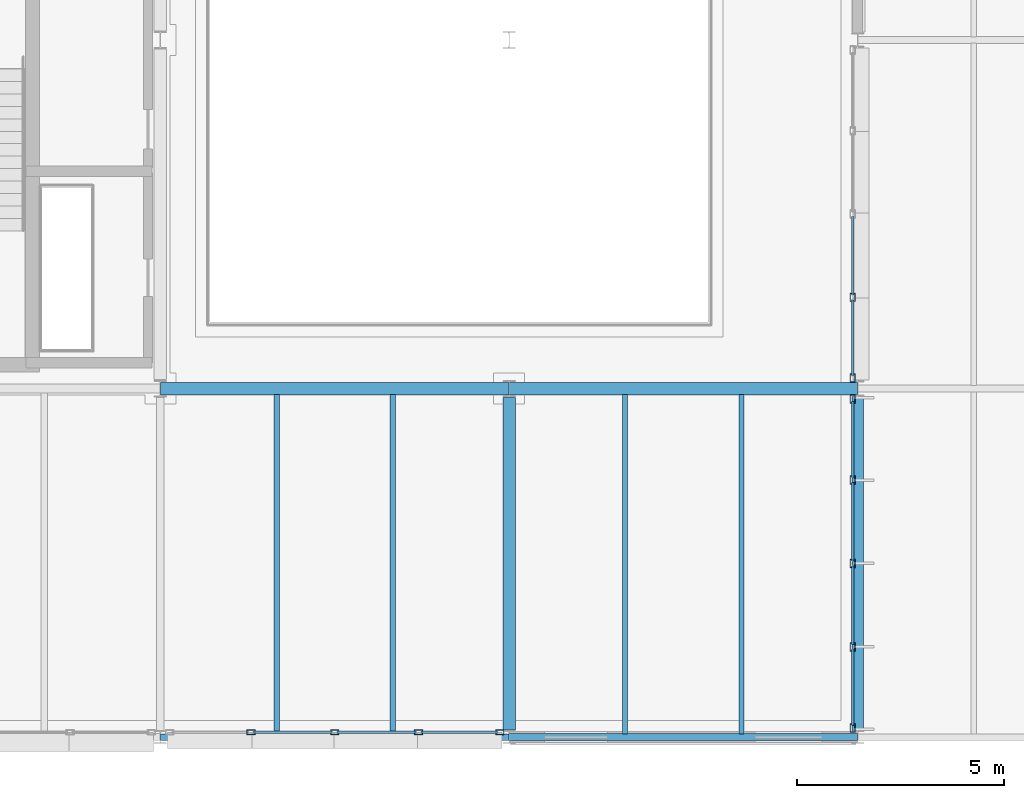
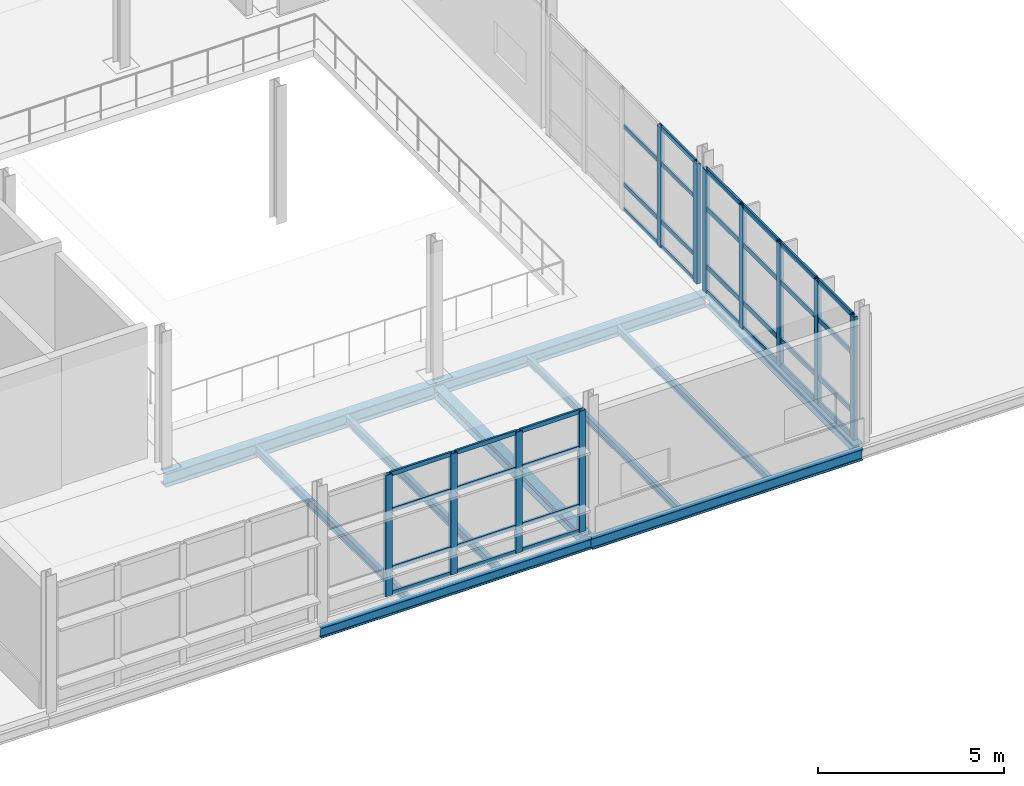
# One storey, part 59 of 129: 46 members, 10 beams, 3 elements without a shape of their own.
"""IFC4 building model written with IfcOpenShell, lengths in metres."""

from ifc_helpers import new_model, si_unit, direction, frame, origin, origin_2d, place, context, subcontext, project, spatial, hollow_rectangle, i_section, extrude, material, material_profile, profile_set, type_object, element, aggregate, save


model = new_model("IFC4")

# Units and contexts
model_context = context("Model", 3, precision=1e-05, world=origin(), true_north=direction((0.0, 1.0)))
body_context = subcontext(model_context, "Body", "Model", "MODEL_VIEW")
ifc_project = project(units=[si_unit("LENGTHUNIT", "METRE"), si_unit("AREAUNIT", "SQUARE_METRE"), si_unit("VOLUMEUNIT", "CUBIC_METRE"), si_unit("PLANEANGLEUNIT", "RADIAN"), si_unit("MASSUNIT", "GRAM", prefix="KILO")], contexts=[model_context])

# Site, building, storey
site_placement = place(None, origin())
site = spatial("IfcSite", under=ifc_project, at=site_placement, CompositionType="ELEMENT")
building_placement = place(site_placement, origin())
building = spatial("IfcBuilding", under=site, at=building_placement, Name="Mersafa Astral City Hall", CompositionType="ELEMENT")
storey_placement = place(building_placement, frame((0.0, 0.0, 5.39990234375)))
storey = spatial("IfcBuildingStorey", under=building, at=storey_placement, Name="L01", CompositionType="ELEMENT", Elevation=5.39990234375)

# Curtain wall, members
ifc_material_1 = material(Name="Anodised bronze aluminium framing", Category="aluminium")
curtain_wall_type_1 = type_object("IfcCurtainWallType", Name="ENV-CW-6", PredefinedType="USERDEFINED", material=ifc_material_1)
curtain_wall_1_placement = place(storey_placement, origin())
curtain_wall_1 = element("IfcCurtainWall", 1, at=curtain_wall_1_placement, inside=storey, type_object=curtain_wall_type_1, Name="L01 Unitised solar curtain wall 47", ObjectType="UNITISED CURTAIN WALL", PredefinedType="USERDEFINED")
ifc_material_profile_1 = material_profile(ifc_material_1, hollow_rectangle(XDim=0.1201171875, YDim=0.199951171875, WallThickness=0.008056640625, at=origin_2d()), Name="RHS 120x200x8")
ifc_profile_set_1 = profile_set([ifc_material_profile_1], Name="Anodised bronze aluminium framing")
member_type_1 = type_object("IfcMemberType", Name="ENV-CW-MUL-2", PredefinedType="MULLION", material=ifc_profile_set_1)
member_1_placement = place(storey_placement, frame((128.180908203125, 0.1201171875, -0.001953125), z_axis=(0.0, 0.0, 1.0), x_axis=(0.0, 1.0, 0.0)))
member_1 = element("IfcMember", 2, at=member_1_placement, type_object=member_type_1, Name="CW-6 mullion 2", PredefinedType="MULLION", context=body_context, shape_type="SweptSolid", body=[
    extrude(hollow_rectangle(XDim=0.1201171875, YDim=0.199951171875, WallThickness=0.008056640625, at=origin_2d()), origin(), (0.0, 0.0, 1.0), 3.968994140625),
])
member_2_placement = place(storey_placement, frame((130.199951171875, 0.1201171875, -0.001953125), z_axis=(0.0, 0.0, 1.0), x_axis=(0.0, 1.0, 0.0)))
member_2 = element("IfcMember", 3, at=member_2_placement, type_object=member_type_1, Name="CW-6 mullion 3", PredefinedType="MULLION", context=body_context, shape_type="SweptSolid", body=[
    extrude(hollow_rectangle(XDim=0.1201171875, YDim=0.199951171875, WallThickness=0.008056640625, at=origin_2d()), origin(), (0.0, 0.0, 1.0), 3.968994140625),
])
member_3_placement = place(storey_placement, frame((132.218994140625, 0.1201171875, -0.001953125), z_axis=(0.0, 0.0, 1.0), x_axis=(0.0, 1.0, 0.0)))
member_3 = element("IfcMember", 4, at=member_3_placement, type_object=member_type_1, Name="CW-6 mullion 4", PredefinedType="MULLION", context=body_context, shape_type="SweptSolid", body=[
    extrude(hollow_rectangle(XDim=0.1201171875, YDim=0.199951171875, WallThickness=0.008056640625, at=origin_2d()), origin(), (0.0, 0.0, 1.0), 3.968994140625),
])
member_4_placement = place(storey_placement, frame((134.177978515625, 0.1201171875, -0.001953125), z_axis=(0.0, 0.0, 1.0), x_axis=(0.0, 1.0, 0.0)))
member_4 = element("IfcMember", 5, at=member_4_placement, type_object=member_type_1, Name="CW-6 mullion 5", PredefinedType="MULLION", context=body_context, shape_type="SweptSolid", body=[
    extrude(hollow_rectangle(XDim=0.1201171875, YDim=0.199951171875, WallThickness=0.008056640625, at=origin_2d()), origin(), (0.0, 0.0, 1.0), 3.968994140625),
])

curtain_wall_type_2 = type_object("IfcCurtainWallType", Name="ENV-CW-1", PredefinedType="USERDEFINED", material=ifc_material_1)
curtain_wall_2_placement = place(storey_placement, origin())
curtain_wall_2 = element("IfcCurtainWall", 6, at=curtain_wall_2_placement, inside=storey, type_object=curtain_wall_type_2, Name="L01 Unitised solar curtain wall 48", ObjectType="UNITISED CURTAIN WALL", PredefinedType="USERDEFINED")
member_5_placement = place(storey_placement, frame((142.679931640625, 0.221923828125, -0.001953125), z_axis=(0.0, 0.0, 1.0), x_axis=(-1.0, 0.0, 0.0)))
member_5 = element("IfcMember", 7, at=member_5_placement, type_object=member_type_1, Name="CW-1 mullion 1", PredefinedType="MULLION", context=body_context, shape_type="SweptSolid", body=[
    extrude(hollow_rectangle(XDim=0.1201171875, YDim=0.199951171875, WallThickness=0.008056640625, at=origin_2d()), origin(), (0.0, 0.0, 1.0), 4.029052734375),
])
member_6_placement = place(storey_placement, frame((142.679931640625, 2.173583984375, -0.001953125), z_axis=(0.0, 0.0, 1.0), x_axis=(-1.0, 0.0, 0.0)))
member_6 = element("IfcMember", 8, at=member_6_placement, type_object=member_type_1, Name="CW-1 mullion 2", PredefinedType="MULLION", context=body_context, shape_type="SweptSolid", body=[
    extrude(hollow_rectangle(XDim=0.1201171875, YDim=0.199951171875, WallThickness=0.008056640625, at=origin_2d()), origin(), (0.0, 0.0, 1.0), 4.029052734375),
])
member_7_placement = place(storey_placement, frame((142.679931640625, 4.18505859375, -0.001953125), z_axis=(0.0, 0.0, 1.0), x_axis=(-1.0, 0.0, 0.0)))
member_7 = element("IfcMember", 9, at=member_7_placement, type_object=member_type_1, Name="CW-1 mullion 3", PredefinedType="MULLION", context=body_context, shape_type="SweptSolid", body=[
    extrude(hollow_rectangle(XDim=0.1201171875, YDim=0.199951171875, WallThickness=0.008056640625, at=origin_2d()), origin(), (0.0, 0.0, 1.0), 4.029052734375),
])
member_8_placement = place(storey_placement, frame((142.679931640625, 6.196533203125, -0.001953125), z_axis=(0.0, 0.0, 1.0), x_axis=(-1.0, 0.0, 0.0)))
member_8 = element("IfcMember", 10, at=member_8_placement, type_object=member_type_1, Name="CW-1 mullion 4", PredefinedType="MULLION", context=body_context, shape_type="SweptSolid", body=[
    extrude(hollow_rectangle(XDim=0.1201171875, YDim=0.199951171875, WallThickness=0.008056640625, at=origin_2d()), origin(), (0.0, 0.0, 1.0), 4.029052734375),
])
member_9_placement = place(storey_placement, frame((142.679931640625, 8.14794921875, -0.001953125), z_axis=(0.0, 0.0, 1.0), x_axis=(-1.0, 0.0, 0.0)))
member_9 = element("IfcMember", 11, at=member_9_placement, type_object=member_type_1, Name="CW-1 mullion 5", PredefinedType="MULLION", context=body_context, shape_type="SweptSolid", body=[
    extrude(hollow_rectangle(XDim=0.1201171875, YDim=0.199951171875, WallThickness=0.008056640625, at=origin_2d()), origin(), (0.0, 0.0, 1.0), 4.029052734375),
])

curtain_wall_type_3 = type_object("IfcCurtainWallType", Name="ENV-CW-2", PredefinedType="USERDEFINED", material=ifc_material_1)
curtain_wall_3_placement = place(storey_placement, origin())
curtain_wall_3 = element("IfcCurtainWall", 12, at=curtain_wall_3_placement, inside=storey, type_object=curtain_wall_type_3, Name="L01 Unitised solar curtain wall 49", ObjectType="UNITISED CURTAIN WALL", PredefinedType="USERDEFINED")
member_10_placement = place(storey_placement, frame((142.679931640625, 8.652099609375, -0.001953125), z_axis=(0.0, 0.0, 1.0), x_axis=(-1.0, 0.0, 0.0)))
member_10 = element("IfcMember", 13, at=member_10_placement, type_object=member_type_1, Name="CW-2 mullion 1", PredefinedType="MULLION", context=body_context, shape_type="SweptSolid", body=[
    extrude(hollow_rectangle(XDim=0.1201171875, YDim=0.199951171875, WallThickness=0.008056640625, at=origin_2d()), origin(), (0.0, 0.0, 1.0), 3.93896484375),
])
member_11_placement = place(storey_placement, frame((142.679931640625, 10.598388671875, -0.001953125), z_axis=(0.0, 0.0, 1.0), x_axis=(-1.0, 0.0, 0.0)))
member_11 = element("IfcMember", 14, at=member_11_placement, type_object=member_type_1, Name="CW-2 mullion 2", PredefinedType="MULLION", context=body_context, shape_type="SweptSolid", body=[
    extrude(hollow_rectangle(XDim=0.1201171875, YDim=0.199951171875, WallThickness=0.008056640625, at=origin_2d()), origin(), (0.0, 0.0, 1.0), 3.93896484375),
])

# Member
ifc_material_profile_2 = material_profile(ifc_material_1, hollow_rectangle(XDim=0.06005859375, YDim=0.139892578125, WallThickness=0.00390625, at=origin_2d()), Name="RHS 60x140x4")
ifc_profile_set_2 = profile_set([ifc_material_profile_2], Name="Anodised bronze aluminium framing")
member_type_2 = type_object("IfcMemberType", Name="ENV-CW-TRN-1", PredefinedType="USERDEFINED", material=ifc_profile_set_2)
member_12_placement = place(storey_placement, frame((128.240966796875, 0.1201171875, 0.028076171875), z_axis=(1.0, 0.0, 0.0), x_axis=(0.0, 1.0, 0.0)))
member_12 = element("IfcMember", 15, at=member_12_placement, type_object=member_type_2, Name="CW-6 transom 2.1", ObjectType="TRANSOM", PredefinedType="USERDEFINED", context=body_context, shape_type="SweptSolid", body=[
    extrude(hollow_rectangle(XDim=0.06005859375, YDim=0.139892578125, WallThickness=0.00390625, at=origin_2d()), origin(), (0.0, 0.0, 1.0), 1.89892578125),
])

member_13_placement = place(storey_placement, frame((128.240966796875, 0.1201171875, 0.85009765625), z_axis=(1.0, 0.0, 0.0), x_axis=(0.0, 1.0, 0.0)))
member_13 = element("IfcMember", 16, at=member_13_placement, type_object=member_type_2, Name="CW-6 transom 2.2", ObjectType="TRANSOM", PredefinedType="USERDEFINED", context=body_context, shape_type="SweptSolid", body=[
    extrude(hollow_rectangle(XDim=0.06005859375, YDim=0.139892578125, WallThickness=0.00390625, at=origin_2d()), origin(), (0.0, 0.0, 1.0), 1.89892578125),
])

member_14_placement = place(storey_placement, frame((128.240966796875, 0.1201171875, 2.75), z_axis=(1.0, 0.0, 0.0), x_axis=(0.0, 1.0, 0.0)))
member_14 = element("IfcMember", 17, at=member_14_placement, type_object=member_type_2, Name="CW-6 transom 2.3", ObjectType="TRANSOM", PredefinedType="USERDEFINED", context=body_context, shape_type="SweptSolid", body=[
    extrude(hollow_rectangle(XDim=0.06005859375, YDim=0.139892578125, WallThickness=0.00390625, at=origin_2d()), origin(), (0.0, 0.0, 1.0), 1.89892578125),
])

member_15_placement = place(storey_placement, frame((128.240966796875, 0.1201171875, 3.93701171875), z_axis=(1.0, 0.0, 0.0), x_axis=(0.0, 1.0, 0.0)))
member_15 = element("IfcMember", 18, at=member_15_placement, type_object=member_type_2, Name="CW-6 transom 2.4", ObjectType="TRANSOM", PredefinedType="USERDEFINED", context=body_context, shape_type="SweptSolid", body=[
    extrude(hollow_rectangle(XDim=0.06005859375, YDim=0.139892578125, WallThickness=0.00390625, at=origin_2d()), origin(), (0.0, 0.0, 1.0), 1.89892578125),
])

member_16_placement = place(storey_placement, frame((130.260009765625, 0.1201171875, 0.028076171875), z_axis=(1.0, 0.0, 0.0), x_axis=(0.0, 1.0, 0.0)))
member_16 = element("IfcMember", 19, at=member_16_placement, type_object=member_type_2, Name="CW-6 transom 3.1", ObjectType="TRANSOM", PredefinedType="USERDEFINED", context=body_context, shape_type="SweptSolid", body=[
    extrude(hollow_rectangle(XDim=0.06005859375, YDim=0.139892578125, WallThickness=0.00390625, at=origin_2d()), origin(), (0.0, 0.0, 1.0), 1.89892578125),
])

member_17_placement = place(storey_placement, frame((130.260009765625, 0.1201171875, 0.85009765625), z_axis=(1.0, 0.0, 0.0), x_axis=(0.0, 1.0, 0.0)))
member_17 = element("IfcMember", 20, at=member_17_placement, type_object=member_type_2, Name="CW-6 transom 3.2", ObjectType="TRANSOM", PredefinedType="USERDEFINED", context=body_context, shape_type="SweptSolid", body=[
    extrude(hollow_rectangle(XDim=0.06005859375, YDim=0.139892578125, WallThickness=0.00390625, at=origin_2d()), origin(), (0.0, 0.0, 1.0), 1.89892578125),
])

member_18_placement = place(storey_placement, frame((130.260009765625, 0.1201171875, 2.75), z_axis=(1.0, 0.0, 0.0), x_axis=(0.0, 1.0, 0.0)))
member_18 = element("IfcMember", 21, at=member_18_placement, type_object=member_type_2, Name="CW-6 transom 3.3", ObjectType="TRANSOM", PredefinedType="USERDEFINED", context=body_context, shape_type="SweptSolid", body=[
    extrude(hollow_rectangle(XDim=0.06005859375, YDim=0.139892578125, WallThickness=0.00390625, at=origin_2d()), origin(), (0.0, 0.0, 1.0), 1.89892578125),
])

member_19_placement = place(storey_placement, frame((130.260009765625, 0.1201171875, 3.93701171875), z_axis=(1.0, 0.0, 0.0), x_axis=(0.0, 1.0, 0.0)))
member_19 = element("IfcMember", 22, at=member_19_placement, type_object=member_type_2, Name="CW-6 transom 3.4", ObjectType="TRANSOM", PredefinedType="USERDEFINED", context=body_context, shape_type="SweptSolid", body=[
    extrude(hollow_rectangle(XDim=0.06005859375, YDim=0.139892578125, WallThickness=0.00390625, at=origin_2d()), origin(), (0.0, 0.0, 1.0), 1.89892578125),
])

member_20_placement = place(storey_placement, frame((132.279052734375, 0.1201171875, 0.028076171875), z_axis=(1.0, 0.0, 0.0), x_axis=(0.0, 1.0, 0.0)))
member_20 = element("IfcMember", 23, at=member_20_placement, type_object=member_type_2, Name="CW-6 transom 4.1", ObjectType="TRANSOM", PredefinedType="USERDEFINED", context=body_context, shape_type="SweptSolid", body=[
    extrude(hollow_rectangle(XDim=0.06005859375, YDim=0.139892578125, WallThickness=0.00390625, at=origin_2d()), origin(), (0.0, 0.0, 1.0), 1.8388671875),
])

member_21_placement = place(storey_placement, frame((132.279052734375, 0.1201171875, 0.85009765625), z_axis=(1.0, 0.0, 0.0), x_axis=(0.0, 1.0, 0.0)))
member_21 = element("IfcMember", 24, at=member_21_placement, type_object=member_type_2, Name="CW-6 transom 4.2", ObjectType="TRANSOM", PredefinedType="USERDEFINED", context=body_context, shape_type="SweptSolid", body=[
    extrude(hollow_rectangle(XDim=0.06005859375, YDim=0.139892578125, WallThickness=0.00390625, at=origin_2d()), origin(), (0.0, 0.0, 1.0), 1.8388671875),
])

member_22_placement = place(storey_placement, frame((132.279052734375, 0.1201171875, 2.75), z_axis=(1.0, 0.0, 0.0), x_axis=(0.0, 1.0, 0.0)))
member_22 = element("IfcMember", 25, at=member_22_placement, type_object=member_type_2, Name="CW-6 transom 4.3", ObjectType="TRANSOM", PredefinedType="USERDEFINED", context=body_context, shape_type="SweptSolid", body=[
    extrude(hollow_rectangle(XDim=0.06005859375, YDim=0.139892578125, WallThickness=0.00390625, at=origin_2d()), origin(), (0.0, 0.0, 1.0), 1.8388671875),
])

member_23_placement = place(storey_placement, frame((132.279052734375, 0.1201171875, 3.93701171875), z_axis=(1.0, 0.0, 0.0), x_axis=(0.0, 1.0, 0.0)))
member_23 = element("IfcMember", 26, at=member_23_placement, type_object=member_type_2, Name="CW-6 transom 4.4", ObjectType="TRANSOM", PredefinedType="USERDEFINED", context=body_context, shape_type="SweptSolid", body=[
    extrude(hollow_rectangle(XDim=0.06005859375, YDim=0.139892578125, WallThickness=0.00390625, at=origin_2d()), origin(), (0.0, 0.0, 1.0), 1.8388671875),
])

aggregate(curtain_wall_1, [member_1, member_2, member_3, member_4, member_12, member_13, member_14, member_15, member_16, member_17, member_18, member_19, member_20, member_21, member_22, member_23])

member_24_placement = place(storey_placement, frame((142.679931640625, 8.7119140625, 0.028076171875), z_axis=(0.0, 1.0, 0.0), x_axis=(-1.0, 0.0, 0.0)))
member_24 = element("IfcMember", 27, at=member_24_placement, type_object=member_type_2, Name="CW-2 transom 1.1", ObjectType="TRANSOM", PredefinedType="USERDEFINED", context=body_context, shape_type="SweptSolid", body=[
    extrude(hollow_rectangle(XDim=0.06005859375, YDim=0.139892578125, WallThickness=0.00390625, at=origin_2d()), origin(), (0.0, 0.0, 1.0), 1.82666015625),
])

member_25_placement = place(storey_placement, frame((142.679931640625, 8.7119140625, 0.85009765625), z_axis=(0.0, 1.0, 0.0), x_axis=(-1.0, 0.0, 0.0)))
member_25 = element("IfcMember", 28, at=member_25_placement, type_object=member_type_2, Name="CW-2 transom 1.2", ObjectType="TRANSOM", PredefinedType="USERDEFINED", context=body_context, shape_type="SweptSolid", body=[
    extrude(hollow_rectangle(XDim=0.06005859375, YDim=0.139892578125, WallThickness=0.00390625, at=origin_2d()), origin(), (0.0, 0.0, 1.0), 1.82666015625),
])

member_26_placement = place(storey_placement, frame((142.679931640625, 8.7119140625, 2.75), z_axis=(0.0, 1.0, 0.0), x_axis=(-1.0, 0.0, 0.0)))
member_26 = element("IfcMember", 29, at=member_26_placement, type_object=member_type_2, Name="CW-2 transom 1.3", ObjectType="TRANSOM", PredefinedType="USERDEFINED", context=body_context, shape_type="SweptSolid", body=[
    extrude(hollow_rectangle(XDim=0.06005859375, YDim=0.139892578125, WallThickness=0.00390625, at=origin_2d()), origin(), (0.0, 0.0, 1.0), 1.82666015625),
])

member_27_placement = place(storey_placement, frame((142.679931640625, 8.7119140625, 3.906982421875), z_axis=(0.0, 1.0, 0.0), x_axis=(-1.0, 0.0, 0.0)))
member_27 = element("IfcMember", 30, at=member_27_placement, type_object=member_type_2, Name="CW-2 transom 1.4", ObjectType="TRANSOM", PredefinedType="USERDEFINED", context=body_context, shape_type="SweptSolid", body=[
    extrude(hollow_rectangle(XDim=0.06005859375, YDim=0.139892578125, WallThickness=0.00390625, at=origin_2d()), origin(), (0.0, 0.0, 1.0), 1.82666015625),
])

member_28_placement = place(storey_placement, frame((142.679931640625, 10.658447265625, 0.028076171875), z_axis=(0.0, 1.0, 0.0), x_axis=(-1.0, 0.0, 0.0)))
member_28 = element("IfcMember", 31, at=member_28_placement, type_object=member_type_2, Name="CW-2 transom 2.1", ObjectType="TRANSOM", PredefinedType="USERDEFINED", context=body_context, shape_type="SweptSolid", body=[
    extrude(hollow_rectangle(XDim=0.06005859375, YDim=0.139892578125, WallThickness=0.00390625, at=origin_2d()), origin(), (0.0, 0.0, 1.0), 1.886474609375),
])

member_29_placement = place(storey_placement, frame((142.679931640625, 10.658447265625, 0.85009765625), z_axis=(0.0, 1.0, 0.0), x_axis=(-1.0, 0.0, 0.0)))
member_29 = element("IfcMember", 32, at=member_29_placement, type_object=member_type_2, Name="CW-2 transom 2.2", ObjectType="TRANSOM", PredefinedType="USERDEFINED", context=body_context, shape_type="SweptSolid", body=[
    extrude(hollow_rectangle(XDim=0.06005859375, YDim=0.139892578125, WallThickness=0.00390625, at=origin_2d()), origin(), (0.0, 0.0, 1.0), 1.886474609375),
])

member_30_placement = place(storey_placement, frame((142.679931640625, 10.658447265625, 2.75), z_axis=(0.0, 1.0, 0.0), x_axis=(-1.0, 0.0, 0.0)))
member_30 = element("IfcMember", 33, at=member_30_placement, type_object=member_type_2, Name="CW-2 transom 2.3", ObjectType="TRANSOM", PredefinedType="USERDEFINED", context=body_context, shape_type="SweptSolid", body=[
    extrude(hollow_rectangle(XDim=0.06005859375, YDim=0.139892578125, WallThickness=0.00390625, at=origin_2d()), origin(), (0.0, 0.0, 1.0), 1.886474609375),
])

aggregate(curtain_wall_3, [member_10, member_11, member_24, member_25, member_26, member_27, member_28, member_29, member_30])

ifc_material_profile_3 = material_profile(ifc_material_1, hollow_rectangle(XDim=0.06005859375, YDim=0.159912109375, WallThickness=0.00390625, at=origin_2d()), Name="RHS 60x160x4")
ifc_profile_set_3 = profile_set([ifc_material_profile_3], Name="Anodised bronze aluminium framing")
member_type_3 = type_object("IfcMemberType", Name="ENV-CW-TRN-2", PredefinedType="USERDEFINED", material=ifc_profile_set_3)
member_31_placement = place(storey_placement, frame((142.679931640625, 0.281982421875, 0.028076171875), z_axis=(0.0, 1.0, 0.0), x_axis=(-1.0, 0.0, 0.0)))
member_31 = element("IfcMember", 34, at=member_31_placement, type_object=member_type_3, Name="CW-1 transom 1.1", ObjectType="TRANSOM", PredefinedType="USERDEFINED", context=body_context, shape_type="SweptSolid", body=[
    extrude(hollow_rectangle(XDim=0.06005859375, YDim=0.159912109375, WallThickness=0.00390625, at=origin_2d()), origin(), (0.0, 0.0, 1.0), 1.83154296875),
])

member_32_placement = place(storey_placement, frame((142.679931640625, 0.281982421875, 0.85009765625), z_axis=(0.0, 1.0, 0.0), x_axis=(-1.0, 0.0, 0.0)))
member_32 = element("IfcMember", 35, at=member_32_placement, type_object=member_type_3, Name="CW-1 transom 1.2", ObjectType="TRANSOM", PredefinedType="USERDEFINED", context=body_context, shape_type="SweptSolid", body=[
    extrude(hollow_rectangle(XDim=0.06005859375, YDim=0.159912109375, WallThickness=0.00390625, at=origin_2d()), origin(), (0.0, 0.0, 1.0), 1.83154296875),
])

member_33_placement = place(storey_placement, frame((142.679931640625, 0.281982421875, 2.75), z_axis=(0.0, 1.0, 0.0), x_axis=(-1.0, 0.0, 0.0)))
member_33 = element("IfcMember", 36, at=member_33_placement, type_object=member_type_3, Name="CW-1 transom 1.3", ObjectType="TRANSOM", PredefinedType="USERDEFINED", context=body_context, shape_type="SweptSolid", body=[
    extrude(hollow_rectangle(XDim=0.06005859375, YDim=0.159912109375, WallThickness=0.00390625, at=origin_2d()), origin(), (0.0, 0.0, 1.0), 1.83154296875),
])

member_34_placement = place(storey_placement, frame((142.679931640625, 0.281982421875, 3.9970703125), z_axis=(0.0, 1.0, 0.0), x_axis=(-1.0, 0.0, 0.0)))
member_34 = element("IfcMember", 37, at=member_34_placement, type_object=member_type_3, Name="CW-1 transom 1.4", ObjectType="TRANSOM", PredefinedType="USERDEFINED", context=body_context, shape_type="SweptSolid", body=[
    extrude(hollow_rectangle(XDim=0.06005859375, YDim=0.159912109375, WallThickness=0.00390625, at=origin_2d()), origin(), (0.0, 0.0, 1.0), 1.83154296875),
])

member_35_placement = place(storey_placement, frame((142.679931640625, 2.2333984375, 0.028076171875), z_axis=(0.0, 1.0, 0.0), x_axis=(-1.0, 0.0, 0.0)))
member_35 = element("IfcMember", 38, at=member_35_placement, type_object=member_type_3, Name="CW-1 transom 2.1", ObjectType="TRANSOM", PredefinedType="USERDEFINED", context=body_context, shape_type="SweptSolid", body=[
    extrude(hollow_rectangle(XDim=0.06005859375, YDim=0.159912109375, WallThickness=0.00390625, at=origin_2d()), origin(), (0.0, 0.0, 1.0), 1.8916015625),
])

member_36_placement = place(storey_placement, frame((142.679931640625, 2.2333984375, 0.85009765625), z_axis=(0.0, 1.0, 0.0), x_axis=(-1.0, 0.0, 0.0)))
member_36 = element("IfcMember", 39, at=member_36_placement, type_object=member_type_3, Name="CW-1 transom 2.2", ObjectType="TRANSOM", PredefinedType="USERDEFINED", context=body_context, shape_type="SweptSolid", body=[
    extrude(hollow_rectangle(XDim=0.06005859375, YDim=0.159912109375, WallThickness=0.00390625, at=origin_2d()), origin(), (0.0, 0.0, 1.0), 1.8916015625),
])

member_37_placement = place(storey_placement, frame((142.679931640625, 2.2333984375, 2.75), z_axis=(0.0, 1.0, 0.0), x_axis=(-1.0, 0.0, 0.0)))
member_37 = element("IfcMember", 40, at=member_37_placement, type_object=member_type_3, Name="CW-1 transom 2.3", ObjectType="TRANSOM", PredefinedType="USERDEFINED", context=body_context, shape_type="SweptSolid", body=[
    extrude(hollow_rectangle(XDim=0.06005859375, YDim=0.159912109375, WallThickness=0.00390625, at=origin_2d()), origin(), (0.0, 0.0, 1.0), 1.8916015625),
])

member_38_placement = place(storey_placement, frame((142.679931640625, 2.2333984375, 3.9970703125), z_axis=(0.0, 1.0, 0.0), x_axis=(-1.0, 0.0, 0.0)))
member_38 = element("IfcMember", 41, at=member_38_placement, type_object=member_type_3, Name="CW-1 transom 2.4", ObjectType="TRANSOM", PredefinedType="USERDEFINED", context=body_context, shape_type="SweptSolid", body=[
    extrude(hollow_rectangle(XDim=0.06005859375, YDim=0.159912109375, WallThickness=0.00390625, at=origin_2d()), origin(), (0.0, 0.0, 1.0), 1.8916015625),
])

member_39_placement = place(storey_placement, frame((142.679931640625, 4.2451171875, 0.028076171875), z_axis=(0.0, 1.0, 0.0), x_axis=(-1.0, 0.0, 0.0)))
member_39 = element("IfcMember", 42, at=member_39_placement, type_object=member_type_3, Name="CW-1 transom 3.1", ObjectType="TRANSOM", PredefinedType="USERDEFINED", context=body_context, shape_type="SweptSolid", body=[
    extrude(hollow_rectangle(XDim=0.06005859375, YDim=0.159912109375, WallThickness=0.00390625, at=origin_2d()), origin(), (0.0, 0.0, 1.0), 1.891357421875),
])

member_40_placement = place(storey_placement, frame((142.679931640625, 4.2451171875, 0.85009765625), z_axis=(0.0, 1.0, 0.0), x_axis=(-1.0, 0.0, 0.0)))
member_40 = element("IfcMember", 43, at=member_40_placement, type_object=member_type_3, Name="CW-1 transom 3.2", ObjectType="TRANSOM", PredefinedType="USERDEFINED", context=body_context, shape_type="SweptSolid", body=[
    extrude(hollow_rectangle(XDim=0.06005859375, YDim=0.159912109375, WallThickness=0.00390625, at=origin_2d()), origin(), (0.0, 0.0, 1.0), 1.891357421875),
])

member_41_placement = place(storey_placement, frame((142.679931640625, 4.2451171875, 2.75), z_axis=(0.0, 1.0, 0.0), x_axis=(-1.0, 0.0, 0.0)))
member_41 = element("IfcMember", 44, at=member_41_placement, type_object=member_type_3, Name="CW-1 transom 3.3", ObjectType="TRANSOM", PredefinedType="USERDEFINED", context=body_context, shape_type="SweptSolid", body=[
    extrude(hollow_rectangle(XDim=0.06005859375, YDim=0.159912109375, WallThickness=0.00390625, at=origin_2d()), origin(), (0.0, 0.0, 1.0), 1.891357421875),
])

member_42_placement = place(storey_placement, frame((142.679931640625, 4.2451171875, 3.9970703125), z_axis=(0.0, 1.0, 0.0), x_axis=(-1.0, 0.0, 0.0)))
member_42 = element("IfcMember", 45, at=member_42_placement, type_object=member_type_3, Name="CW-1 transom 3.4", ObjectType="TRANSOM", PredefinedType="USERDEFINED", context=body_context, shape_type="SweptSolid", body=[
    extrude(hollow_rectangle(XDim=0.06005859375, YDim=0.159912109375, WallThickness=0.00390625, at=origin_2d()), origin(), (0.0, 0.0, 1.0), 1.891357421875),
])

member_43_placement = place(storey_placement, frame((142.679931640625, 6.256591796875, 0.028076171875), z_axis=(0.0, 1.0, 0.0), x_axis=(-1.0, 0.0, 0.0)))
member_43 = element("IfcMember", 46, at=member_43_placement, type_object=member_type_3, Name="CW-1 transom 4.1", ObjectType="TRANSOM", PredefinedType="USERDEFINED", context=body_context, shape_type="SweptSolid", body=[
    extrude(hollow_rectangle(XDim=0.06005859375, YDim=0.159912109375, WallThickness=0.00390625, at=origin_2d()), origin(), (0.0, 0.0, 1.0), 1.831298828125),
])

member_44_placement = place(storey_placement, frame((142.679931640625, 6.256591796875, 0.85009765625), z_axis=(0.0, 1.0, 0.0), x_axis=(-1.0, 0.0, 0.0)))
member_44 = element("IfcMember", 47, at=member_44_placement, type_object=member_type_3, Name="CW-1 transom 4.2", ObjectType="TRANSOM", PredefinedType="USERDEFINED", context=body_context, shape_type="SweptSolid", body=[
    extrude(hollow_rectangle(XDim=0.06005859375, YDim=0.159912109375, WallThickness=0.00390625, at=origin_2d()), origin(), (0.0, 0.0, 1.0), 1.831298828125),
])

member_45_placement = place(storey_placement, frame((142.679931640625, 6.256591796875, 2.75), z_axis=(0.0, 1.0, 0.0), x_axis=(-1.0, 0.0, 0.0)))
member_45 = element("IfcMember", 48, at=member_45_placement, type_object=member_type_3, Name="CW-1 transom 4.3", ObjectType="TRANSOM", PredefinedType="USERDEFINED", context=body_context, shape_type="SweptSolid", body=[
    extrude(hollow_rectangle(XDim=0.06005859375, YDim=0.159912109375, WallThickness=0.00390625, at=origin_2d()), origin(), (0.0, 0.0, 1.0), 1.831298828125),
])

member_46_placement = place(storey_placement, frame((142.679931640625, 6.256591796875, 3.9970703125), z_axis=(0.0, 1.0, 0.0), x_axis=(-1.0, 0.0, 0.0)))
member_46 = element("IfcMember", 49, at=member_46_placement, type_object=member_type_3, Name="CW-1 transom 4.4", ObjectType="TRANSOM", PredefinedType="USERDEFINED", context=body_context, shape_type="SweptSolid", body=[
    extrude(hollow_rectangle(XDim=0.06005859375, YDim=0.159912109375, WallThickness=0.00390625, at=origin_2d()), origin(), (0.0, 0.0, 1.0), 1.831298828125),
])

aggregate(curtain_wall_2, [member_5, member_6, member_7, member_8, member_9, member_31, member_32, member_33, member_34, member_35, member_36, member_37, member_38, member_39, member_40, member_41, member_42, member_43, member_44, member_45, member_46])

# Beams
ifc_material_2 = material(Name="Steel S355", Category="steel")
ifc_material_profile_4 = material_profile(ifc_material_2, i_section(OverallWidth=0.300048828125, OverallDepth=0.35009765625, WebThickness=0.010009765625, FlangeThickness=0.017578125, FilletRadius=0.027099609375, at=origin_2d()), Name="HEA 360")
ifc_profile_set_4 = profile_set([ifc_material_profile_4], Name="Steel S355")
beam_type_1 = type_object("IfcBeamType", Name="STR-BM-HEA360", PredefinedType="BEAM", material=ifc_profile_set_4)
beam_1_placement = place(storey_placement, frame((134.39990234375, 0.175048828125, -0.39990234375), z_axis=(0.0, 1.0, 0.0), x_axis=(-1.0, 0.0, 0.0)))
element("IfcBeam", 50, at=beam_1_placement, inside=storey, type_object=beam_type_1, Name="L01 Primary girder Y 16-0", PredefinedType="BEAM", context=body_context, shape_type="SweptSolid", body=[
    extrude(i_section(OverallWidth=0.300048828125, OverallDepth=0.35009765625, WebThickness=0.010009765625, FlangeThickness=0.017578125, FilletRadius=0.027099609375, at=origin_2d()), origin(), (0.0, 0.0, 1.0), 8.0048828125),
])
ifc_material_profile_5 = material_profile(ifc_material_2, i_section(OverallWidth=0.300048828125, OverallDepth=0.389892578125, WebThickness=0.010986328125, FlangeThickness=0.01904296875, FilletRadius=0.027099609375, at=origin_2d()), Name="HEA 400")
ifc_profile_set_5 = profile_set([ifc_material_profile_5], Name="Steel S355")
beam_type_2 = type_object("IfcBeamType", Name="STR-BM-HEA400", PredefinedType="BEAM", material=ifc_profile_set_5)
beam_2_placement = place(storey_placement, frame((134.403076171875, 8.39990234375, -0.419921875), z_axis=(1.0, 0.0, 0.0), x_axis=(0.0, 1.0, 0.0)))
element("IfcBeam", 51, at=beam_2_placement, inside=storey, type_object=beam_type_2, Name="L01 Primary girder X 16-1", PredefinedType="BEAM", context=body_context, shape_type="SweptSolid", body=[
    extrude(i_section(OverallWidth=0.300048828125, OverallDepth=0.389892578125, WebThickness=0.010986328125, FlangeThickness=0.01904296875, FilletRadius=0.027099609375, at=origin_2d()), origin(), (0.0, 0.0, 1.0), 8.39404296875),
])
ifc_material_profile_6 = material_profile(ifc_material_2, i_section(OverallWidth=0.300048828125, OverallDepth=0.43994140625, WebThickness=0.011474609375, FlangeThickness=0.02099609375, FilletRadius=0.027099609375, at=origin_2d()), Name="HEA 450")
ifc_profile_set_6 = profile_set([ifc_material_profile_6], Name="Steel S355")
beam_type_3 = type_object("IfcBeamType", Name="STR-BM-HEA450", PredefinedType="BEAM", material=ifc_profile_set_6)
beam_3_placement = place(storey_placement, frame((126.0029296875, 8.39990234375, -0.44482421875), z_axis=(1.0, 0.0, 0.0), x_axis=(0.0, 1.0, 0.0)))
element("IfcBeam", 52, at=beam_3_placement, inside=storey, type_object=beam_type_3, Name="L01 Primary girder X 15-1", PredefinedType="BEAM", context=body_context, shape_type="SweptSolid", body=[
    extrude(i_section(OverallWidth=0.300048828125, OverallDepth=0.43994140625, WebThickness=0.011474609375, FlangeThickness=0.02099609375, FilletRadius=0.027099609375, at=origin_2d()), origin(), (0.0, 0.0, 1.0), 8.39404296875),
])
ifc_material_profile_7 = material_profile(ifc_material_2, i_section(OverallWidth=0.1201171875, OverallDepth=0.239990234375, WebThickness=0.006103515625, FlangeThickness=0.009765625, FilletRadius=0.014892578125, at=origin_2d()), Name="IPE 240")
ifc_profile_set_7 = profile_set([ifc_material_profile_7], Name="Steel S355")
beam_type_4 = type_object("IfcBeamType", Name="STR-BM-JOIST-IPE240", PredefinedType="JOIST", material=ifc_profile_set_7)
for number, where, z_axis, x_axis, name in (
    (53, (137.199951171875, 0.080078125, -0.344970703125), (0.0, 1.0, 0.0), (-1.0, 0.0, 0.0), "L01 Composite secondary floor joist 344"),
    (54, (140.0, 0.080078125, -0.344970703125), (0.0, 1.0, 0.0), (-1.0, 0.0, 0.0), "L01 Composite secondary floor joist 345"),
):
    element("IfcBeam", number, at=place(storey_placement, frame(where, z_axis=z_axis, x_axis=x_axis)), inside=storey, type_object=beam_type_4, Name=name, PredefinedType="JOIST", context=body_context, shape_type="SweptSolid", body=[
        extrude(i_section(OverallWidth=0.1201171875, OverallDepth=0.239990234375, WebThickness=0.006103515625, FlangeThickness=0.009765625, FilletRadius=0.014892578125, at=origin_2d()), origin(), (0.0, 0.0, 1.0), 8.1748046875),
    ])
ifc_material_profile_8 = material_profile(ifc_material_2, i_section(OverallWidth=0.135009765625, OverallDepth=0.27001953125, WebThickness=0.006591796875, FlangeThickness=0.01025390625, FilletRadius=0.014892578125, at=origin_2d()), Name="IPE 270")
ifc_profile_set_8 = profile_set([ifc_material_profile_8], Name="Steel S355")
beam_type_5 = type_object("IfcBeamType", Name="STR-BM-JOIST-IPE270", PredefinedType="JOIST", material=ifc_profile_set_8)
for number, where, z_axis, x_axis, name in (
    (55, (128.800048828125, 0.074951171875, -0.35986328125), (0.0, 1.0, 0.0), (-1.0, 0.0, 0.0), "L01 Composite secondary floor joist 338"),
    (56, (131.60009765625, 0.074951171875, -0.35986328125), (0.0, 1.0, 0.0), (-1.0, 0.0, 0.0), "L01 Composite secondary floor joist 339"),
):
    element("IfcBeam", number, at=place(storey_placement, frame(where, z_axis=z_axis, x_axis=x_axis)), inside=storey, type_object=beam_type_5, Name=name, PredefinedType="JOIST", context=body_context, shape_type="SweptSolid", body=[
        extrude(i_section(OverallWidth=0.135009765625, OverallDepth=0.27001953125, WebThickness=0.006591796875, FlangeThickness=0.01025390625, FilletRadius=0.014892578125, at=origin_2d()), origin(), (0.0, 0.0, 1.0), 8.179931640625),
    ])
ifc_material_profile_9 = material_profile(ifc_material_2, i_section(OverallWidth=0.280029296875, OverallDepth=0.27001953125, WebThickness=0.008056640625, FlangeThickness=0.012939453125, FilletRadius=0.02392578125, at=origin_2d()), Name="HEA 280")
ifc_profile_set_9 = profile_set([ifc_material_profile_9], Name="Steel S355")
beam_type_6 = type_object("IfcBeamType", Name="STR-BM-SPANDREL-HEA280", PredefinedType="SPANDREL", material=ifc_profile_set_9)
beam_4_placement = place(storey_placement, frame((142.800048828125, 0.1650390625, -0.35986328125), z_axis=(0.0, 1.0, 0.0), x_axis=(-1.0, 0.0, 0.0)))
element("IfcBeam", 57, at=beam_4_placement, inside=storey, type_object=beam_type_6, Name="L01 Primary girder Y 17-0", PredefinedType="SPANDREL", context=body_context, shape_type="SweptSolid", body=[
    extrude(i_section(OverallWidth=0.280029296875, OverallDepth=0.27001953125, WebThickness=0.008056640625, FlangeThickness=0.012939453125, FilletRadius=0.02392578125, at=origin_2d()), origin(), (0.0, 0.0, 1.0), 8.0400390625),
])
ifc_material_profile_10 = material_profile(ifc_material_2, i_section(OverallWidth=0.159912109375, OverallDepth=0.330078125, WebThickness=0.007568359375, FlangeThickness=0.011474609375, FilletRadius=0.01806640625, at=origin_2d()), Name="IPE 330")
ifc_profile_set_10 = profile_set([ifc_material_profile_10], Name="Steel S355")
beam_type_7 = type_object("IfcBeamType", Name="STR-BM-SPANDREL-IPE330", PredefinedType="SPANDREL", material=ifc_profile_set_10)
beam_5_placement = place(storey_placement, frame((126.0029296875, 0.0, -0.389892578125), z_axis=(1.0, 0.0, 0.0), x_axis=(0.0, 1.0, 0.0)))
element("IfcBeam", 58, at=beam_5_placement, inside=storey, type_object=beam_type_7, Name="L01 Primary girder X 15-0", PredefinedType="SPANDREL", context=body_context, shape_type="SweptSolid", body=[
    extrude(i_section(OverallWidth=0.159912109375, OverallDepth=0.330078125, WebThickness=0.007568359375, FlangeThickness=0.011474609375, FilletRadius=0.01806640625, at=origin_2d()), origin(), (0.0, 0.0, 1.0), 8.39404296875),
])
ifc_material_profile_11 = material_profile(ifc_material_2, i_section(OverallWidth=0.169921875, OverallDepth=0.360107421875, WebThickness=0.008056640625, FlangeThickness=0.0126953125, FilletRadius=0.01806640625, at=origin_2d()), Name="IPE 360")
ifc_profile_set_11 = profile_set([ifc_material_profile_11], Name="Steel S355")
beam_type_8 = type_object("IfcBeamType", Name="STR-BM-SPANDREL-IPE360", PredefinedType="SPANDREL", material=ifc_profile_set_11)
beam_6_placement = place(storey_placement, frame((134.403076171875, 0.0, -0.40478515625), z_axis=(1.0, 0.0, 0.0), x_axis=(0.0, 1.0, 0.0)))
element("IfcBeam", 59, at=beam_6_placement, inside=storey, type_object=beam_type_8, Name="L01 Primary girder X 16-0", PredefinedType="SPANDREL", context=body_context, shape_type="SweptSolid", body=[
    extrude(i_section(OverallWidth=0.169921875, OverallDepth=0.360107421875, WebThickness=0.008056640625, FlangeThickness=0.0126953125, FilletRadius=0.01806640625, at=origin_2d()), origin(), (0.0, 0.0, 1.0), 8.39404296875),
])

save(model, "model.ifc")
